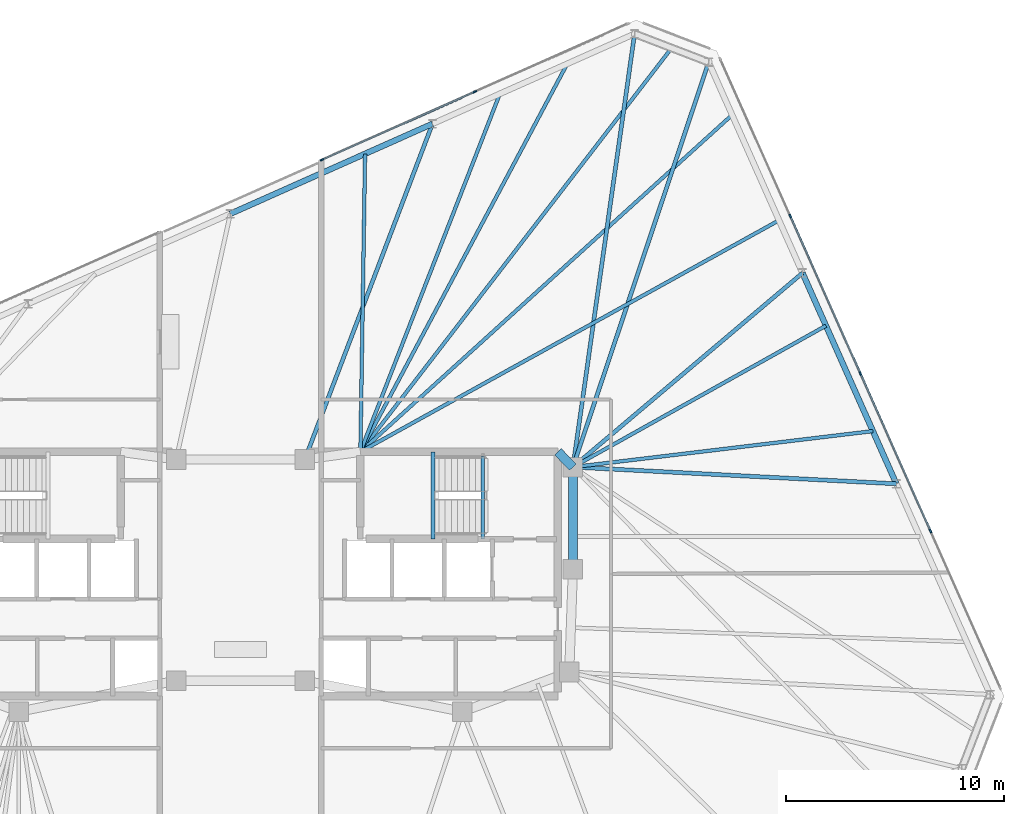
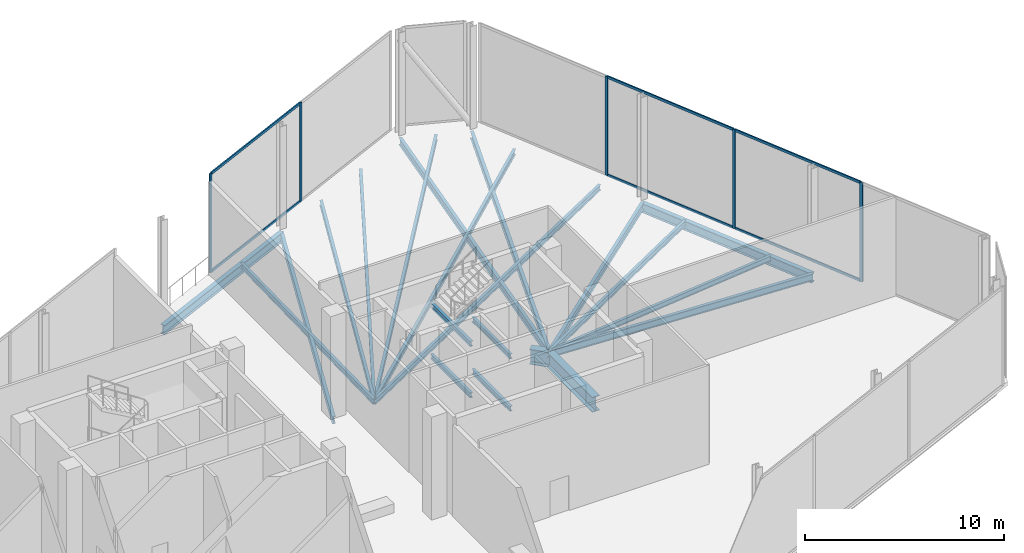
# One storey, part 11 of 16: 21 beams, 11 members, 2 elements without a shape of their own.
"""IFC4 building model written with IfcOpenShell, lengths in metres."""

from ifc_helpers import new_model, si_unit, direction, frame, origin, origin_2d, place, context, subcontext, project, spatial, rectangle, i_section, extrude, material, material_profile, profile_set, type_object, element, aggregate, save


model = new_model("IFC4")

# Units and contexts
model_context = context("Model", 3, precision=1e-05, world=origin(), true_north=direction((0.0, 1.0)))
body_context = subcontext(model_context, "Body", "Model", "MODEL_VIEW")
ifc_project = project(units=[si_unit("LENGTHUNIT", "METRE"), si_unit("AREAUNIT", "SQUARE_METRE"), si_unit("VOLUMEUNIT", "CUBIC_METRE"), si_unit("PLANEANGLEUNIT", "RADIAN"), si_unit("MASSUNIT", "GRAM", prefix="KILO")], contexts=[model_context])

# Site, building, storey
site_placement = place(None, origin())
site = spatial("IfcSite", under=ifc_project, at=site_placement, CompositionType="ELEMENT")
building_placement = place(site_placement, origin())
building = spatial("IfcBuilding", under=site, at=building_placement, Name="Menara Jurai Vektor", CompositionType="ELEMENT")
storey_placement = place(building_placement, frame((0.0, 0.0, 275.60009765625)))
storey = spatial("IfcBuildingStorey", under=building, at=storey_placement, Name="L74", CompositionType="ELEMENT", Elevation=275.60009765625)

# Curtain wall, members
ifc_material_1 = material(Name="Anodised Pale Aluminium & Low-E Double Glazing", Category="aluminium")
curtain_wall_type = type_object("IfcCurtainWallType", Name="CW-BLK5", PredefinedType="NOTDEFINED", material=ifc_material_1)
curtain_wall_1_placement = place(storey_placement, origin())
curtain_wall_1 = element("IfcCurtainWall", 1, at=curtain_wall_1_placement, inside=storey, type_object=curtain_wall_type, Name="Unitised Curtain Wall L74 W2-04", PredefinedType="NOTDEFINED")
ifc_material_2 = material(Name="Anodised Pale Aluminium Mullion", Category="aluminium")
ifc_material_profile_1 = material_profile(ifc_material_2, rectangle(XDim=0.074951171875, YDim=0.175048828125, at=origin_2d()), Name="ALU MUL 75x175")
ifc_profile_set_1 = profile_set([ifc_material_profile_1], Name="Anodised Pale Aluminium Mullion")
member_type_1 = type_object("IfcMemberType", Name="CW-BLK5-MUL", PredefinedType="MULLION", material=ifc_profile_set_1)
member_1_placement = place(storey_placement, frame((31.6533203125, 1.9658203125, 0.0), z_axis=(0.0, 0.0, 1.0), x_axis=(-0.913546127706, -0.406735138086, 0.0)))
member_1 = element("IfcMember", 2, at=member_1_placement, type_object=member_type_1, Name="CW-05 mullion 2", PredefinedType="MULLION", context=body_context, shape_type="SweptSolid", body=[
    extrude(rectangle(XDim=0.074951171875, YDim=0.175048828125, at=origin_2d()), origin(), (0.0, 0.0, 1.0), 6.074951171875),
])
member_2_placement = place(storey_placement, frame((28.43603515625, 9.19189453125, 0.0), z_axis=(0.0, 0.0, 1.0), x_axis=(-0.913546127706, -0.406735138086, 0.0)))
member_2 = element("IfcMember", 3, at=member_2_placement, type_object=member_type_1, Name="CW-05 mullion 3", PredefinedType="MULLION", context=body_context, shape_type="SweptSolid", body=[
    extrude(rectangle(XDim=0.074951171875, YDim=0.175048828125, at=origin_2d()), origin(), (0.0, 0.0, 1.0), 6.074951171875),
])
member_3_placement = place(storey_placement, frame((25.21875, 16.418212890625, 0.0), z_axis=(0.0, 0.0, 1.0), x_axis=(-0.913546127706, -0.406735138086, 0.0)))
member_3 = element("IfcMember", 4, at=member_3_placement, type_object=member_type_1, Name="CW-05 mullion 4", PredefinedType="MULLION", context=body_context, shape_type="SweptSolid", body=[
    extrude(rectangle(XDim=0.074951171875, YDim=0.175048828125, at=origin_2d()), origin(), (0.0, 0.0, 1.0), 6.074951171875),
])

curtain_wall_2_placement = place(storey_placement, origin())
curtain_wall_2 = element("IfcCurtainWall", 5, at=curtain_wall_2_placement, inside=storey, type_object=curtain_wall_type, Name="Unitised Curtain Wall L74 W2-06", PredefinedType="NOTDEFINED")
member_4_placement = place(storey_placement, frame((10.75146484375, 22.116455078125, 0.0), z_axis=(0.0, 0.0, 1.0), x_axis=(0.406733391393, -0.913546905378, 0.0)))
member_4 = element("IfcMember", 6, at=member_4_placement, type_object=member_type_1, Name="CW-05 mullion 2", PredefinedType="MULLION", context=body_context, shape_type="SweptSolid", body=[
    extrude(rectangle(XDim=0.074951171875, YDim=0.175048828125, at=origin_2d()), origin(), (0.0, 0.0, 1.0), 6.074951171875),
])
member_5_placement = place(storey_placement, frame((3.734375, 18.9921875, 0.0), z_axis=(0.0, 0.0, 1.0), x_axis=(0.406733391393, -0.913546905378, 0.0)))
member_5 = element("IfcMember", 7, at=member_5_placement, type_object=member_type_1, Name="CW-05 mullion 3", PredefinedType="MULLION", context=body_context, shape_type="SweptSolid", body=[
    extrude(rectangle(XDim=0.074951171875, YDim=0.175048828125, at=origin_2d()), origin(), (0.0, 0.0, 1.0), 6.074951171875),
])

# Member
ifc_material_3 = material(Name="Anodised Pale Aluminium Transom", Category="aluminium")
ifc_material_profile_2 = material_profile(ifc_material_3, rectangle(XDim=0.074951171875, YDim=0.155029296875, at=origin_2d()), Name="ALU TRN 75x155")
ifc_profile_set_2 = profile_set([ifc_material_profile_2], Name="Anodised Pale Aluminium Transom")
member_type_2 = type_object("IfcMemberType", Name="CW-BLK5-TRN", PredefinedType="USERDEFINED", material=ifc_profile_set_2)
member_6_placement = place(storey_placement, frame((31.63818359375, 2.0, 0.037353515625), z_axis=(-0.406731062496, 0.913547942256, 0.0), x_axis=(-0.913547942256, -0.406731062496, 0.0)))
member_6 = element("IfcMember", 8, at=member_6_placement, type_object=member_type_2, Name="CW-05 transom 2.1", ObjectType="TRANSOM", PredefinedType="USERDEFINED", context=body_context, shape_type="SweptSolid", body=[
    extrude(rectangle(XDim=0.074951171875, YDim=0.155029296875, at=origin_2d()), origin(), (0.0, 0.0, 1.0), 7.8349609375),
])

member_7_placement = place(storey_placement, frame((31.63818359375, 2.0, 6.037353515625), z_axis=(-0.406731062496, 0.913547942256, 0.0), x_axis=(-0.913547942256, -0.406731062496, 0.0)))
member_7 = element("IfcMember", 9, at=member_7_placement, type_object=member_type_2, Name="CW-05 transom 2.2", ObjectType="TRANSOM", PredefinedType="USERDEFINED", context=body_context, shape_type="SweptSolid", body=[
    extrude(rectangle(XDim=0.074951171875, YDim=0.155029296875, at=origin_2d()), origin(), (0.0, 0.0, 1.0), 7.8349609375),
])

member_8_placement = place(storey_placement, frame((28.4208984375, 9.226318359375, 0.037353515625), z_axis=(-0.40674264085, 0.913542787238, 0.0), x_axis=(-0.913542787238, -0.40674264085, 0.0)))
member_8 = element("IfcMember", 10, at=member_8_placement, type_object=member_type_2, Name="CW-05 transom 3.1", ObjectType="TRANSOM", PredefinedType="USERDEFINED", context=body_context, shape_type="SweptSolid", body=[
    extrude(rectangle(XDim=0.074951171875, YDim=0.155029296875, at=origin_2d()), origin(), (0.0, 0.0, 1.0), 7.8349609375),
])

member_9_placement = place(storey_placement, frame((28.4208984375, 9.226318359375, 6.037353515625), z_axis=(-0.40674264085, 0.913542787238, 0.0), x_axis=(-0.913542787238, -0.40674264085, 0.0)))
member_9 = element("IfcMember", 11, at=member_9_placement, type_object=member_type_2, Name="CW-05 transom 3.2", ObjectType="TRANSOM", PredefinedType="USERDEFINED", context=body_context, shape_type="SweptSolid", body=[
    extrude(rectangle(XDim=0.074951171875, YDim=0.155029296875, at=origin_2d()), origin(), (0.0, 0.0, 1.0), 7.8349609375),
])

aggregate(curtain_wall_1, [member_1, member_2, member_3, member_6, member_7, member_8, member_9])

member_10_placement = place(storey_placement, frame((10.71728515625, 22.10107421875, 0.037353515625), z_axis=(-0.913546636457, -0.406733995404, 0.0), x_axis=(0.406733995404, -0.913546636457, 0.0)))
member_10 = element("IfcMember", 12, at=member_10_placement, type_object=member_type_2, Name="CW-05 transom 2.1", ObjectType="TRANSOM", PredefinedType="USERDEFINED", context=body_context, shape_type="SweptSolid", body=[
    extrude(rectangle(XDim=0.074951171875, YDim=0.155029296875, at=origin_2d()), origin(), (0.0, 0.0, 1.0), 7.606201171875),
])

member_11_placement = place(storey_placement, frame((10.71728515625, 22.10107421875, 6.037353515625), z_axis=(-0.913546636457, -0.406733995404, 0.0), x_axis=(0.406733995404, -0.913546636457, 0.0)))
member_11 = element("IfcMember", 13, at=member_11_placement, type_object=member_type_2, Name="CW-05 transom 2.2", ObjectType="TRANSOM", PredefinedType="USERDEFINED", context=body_context, shape_type="SweptSolid", body=[
    extrude(rectangle(XDim=0.074951171875, YDim=0.155029296875, at=origin_2d()), origin(), (0.0, 0.0, 1.0), 7.606201171875),
])

aggregate(curtain_wall_2, [member_4, member_5, member_10, member_11])

# Beams
ifc_material_4 = material(Name="Steel S355", Category="steel")
ifc_material_profile_3 = material_profile(ifc_material_4, i_section(OverallWidth=0.18505859375, OverallDepth=0.429931640625, WebThickness=0.010986328125, FlangeThickness=0.01806640625, at=origin_2d()), Name="PG 430x185x76")
ifc_profile_set_3 = profile_set([ifc_material_profile_3], Name="Steel S355")
beam_type_1 = type_object("IfcBeamType", Name="STR-BM-430", PredefinedType="BEAM", material=ifc_profile_set_3)
beam_1_placement = place(storey_placement, frame((30.086181640625, 4.13330078125, -0.465087890625), z_axis=(-0.998667716832, 0.051602241782, 0.0), x_axis=(-0.051602241782, -0.998667716832, 0.0)))
element("IfcBeam", 14, at=beam_1_placement, inside=storey, type_object=beam_type_1, Name="Radial Floor Girder L74-E2", PredefinedType="BEAM", context=body_context, shape_type="SweptSolid", body=[
    extrude(i_section(OverallWidth=0.18505859375, OverallDepth=0.429931640625, WebThickness=0.010986328125, FlangeThickness=0.01806640625, at=origin_2d()), origin(), (0.0, 0.0, 1.0), 14.85595703125),
])
beam_2_placement = place(storey_placement, frame((25.781005859375, 13.80322265625, -0.465087890625), z_axis=(-0.763655500673, -0.6456239434, 0.0), x_axis=(0.6456239434, -0.763655500673, 0.0)))
element("IfcBeam", 15, at=beam_2_placement, inside=storey, type_object=beam_type_1, Name="Radial Floor Girder L74-E3", PredefinedType="BEAM", context=body_context, shape_type="SweptSolid", body=[
    extrude(i_section(OverallWidth=0.18505859375, OverallDepth=0.429931640625, WebThickness=0.010986328125, FlangeThickness=0.01806640625, at=origin_2d()), origin(), (0.0, 0.0, 1.0), 13.790283203125),
])
beam_3_placement = place(storey_placement, frame((21.4755859375, 23.473388671875, -0.465087890625), z_axis=(-0.317808893183, -0.948154790851, 0.0), x_axis=(0.948154790851, -0.317808893183, 0.0)))
element("IfcBeam", 16, at=beam_3_placement, inside=storey, type_object=beam_type_1, Name="Radial Floor Girder L74-E4", PredefinedType="BEAM", context=body_context, shape_type="SweptSolid", body=[
    extrude(i_section(OverallWidth=0.18505859375, OverallDepth=0.429931640625, WebThickness=0.010986328125, FlangeThickness=0.01806640625, at=origin_2d()), origin(), (0.0, 0.0, 1.0), 19.589111328125),
])
beam_4_placement = place(storey_placement, frame((18.07958984375, 24.777099609375, -0.465087890625), z_axis=(-0.140932755913, -0.990019170678, 0.0), x_axis=(0.990019170678, -0.140932755913, 0.0)))
element("IfcBeam", 17, at=beam_4_placement, inside=storey, type_object=beam_type_1, Name="Radial Floor Girder L74-N1", PredefinedType="BEAM", context=body_context, shape_type="SweptSolid", body=[
    extrude(i_section(OverallWidth=0.18505859375, OverallDepth=0.429931640625, WebThickness=0.010986328125, FlangeThickness=0.01806640625, at=origin_2d()), origin(), (0.0, 0.0, 1.0), 20.07763671875),
])
beam_5_placement = place(storey_placement, frame((8.805908203125, 20.648193359375, -0.465087890625), z_axis=(-0.355464051758, -0.934689952823, 0.0), x_axis=(0.934689952823, -0.355464051758, 0.0)))
element("IfcBeam", 18, at=beam_5_placement, inside=storey, type_object=beam_type_1, Name="Radial Floor Girder L74-N2", PredefinedType="BEAM", context=body_context, shape_type="SweptSolid", body=[
    extrude(i_section(OverallWidth=0.18505859375, OverallDepth=0.429931640625, WebThickness=0.010986328125, FlangeThickness=0.01806640625, at=origin_2d()), origin(), (0.0, 0.0, 1.0), 16.47412109375),
])
ifc_material_5 = material(Name="Steel S460", Category="steel")
ifc_material_profile_4 = material_profile(ifc_material_5, i_section(OverallWidth=0.4208984375, OverallDepth=0.9208984375, WebThickness=0.02099609375, FlangeThickness=0.037109375, FilletRadius=0.02392578125, at=origin_2d()), Name="UKB 914x419x388")
ifc_profile_set_4 = profile_set([ifc_material_profile_4], Name="Steel S460")
beam_type_2 = type_object("IfcBeamType", Name="STR-BM-TR914", PredefinedType="BEAM", material=ifc_profile_set_4)
beam_6_placement = place(storey_placement, frame((14.56005859375, 5.60009765625, -0.710693359375), z_axis=(0.701871936926, -0.712303154672, 0.0), x_axis=(0.712303154672, 0.701871936926, 0.0)))
element("IfcBeam", 19, at=beam_6_placement, inside=storey, type_object=beam_type_2, Name="Core Ring Header Girder L74-CHE-N2", PredefinedType="BEAM", context=body_context, shape_type="SweptSolid", body=[
    extrude(i_section(OverallWidth=0.4208984375, OverallDepth=0.9208984375, WebThickness=0.02099609375, FlangeThickness=0.037109375, FilletRadius=0.02392578125, at=origin_2d()), origin(), (0.0, 0.0, 1.0), 0.98291015625),
])
beam_7_placement = place(storey_placement, frame((15.25, 0.219970703125, -0.710693359375), z_axis=(0.0, 1.0, 0.0), x_axis=(-1.0, 0.0, 0.0)))
element("IfcBeam", 20, at=beam_7_placement, inside=storey, type_object=beam_type_2, Name="Core Ring Header Girder L74-CHE-E1", PredefinedType="BEAM", context=body_context, shape_type="SweptSolid", body=[
    extrude(i_section(OverallWidth=0.4208984375, OverallDepth=0.9208984375, WebThickness=0.02099609375, FlangeThickness=0.037109375, FilletRadius=0.02392578125, at=origin_2d()), origin(), (0.0, 0.0, 1.0), 4.679931640625),
])
ifc_material_profile_5 = material_profile(ifc_material_4, i_section(OverallWidth=0.1650390625, OverallDepth=0.330078125, WebThickness=0.009033203125, FlangeThickness=0.013916015625, at=origin_2d()), Name="PG 330x165x46")
ifc_profile_set_5 = profile_set([ifc_material_profile_5], Name="Steel S355")
beam_type_3 = type_object("IfcBeamType", Name="STR-JS-330", PredefinedType="JOIST", material=ifc_profile_set_5)
beam_8_placement = place(storey_placement, frame((29.010009765625, 6.55078125, -0.4150390625), z_axis=(-0.992879589053, -0.119122296999, 0.0), x_axis=(0.119122296999, -0.992879589053, 0.0)))
element("IfcBeam", 21, at=beam_8_placement, inside=storey, type_object=beam_type_3, Name="Radial Secondary Floor Joist L74-JS08", PredefinedType="JOIST", context=body_context, shape_type="SweptSolid", body=[
    extrude(i_section(OverallWidth=0.1650390625, OverallDepth=0.330078125, WebThickness=0.009033203125, FlangeThickness=0.013916015625, at=origin_2d()), origin(), (0.0, 0.0, 1.0), 13.858642578125),
])
beam_9_placement = place(storey_placement, frame((26.857177734375, 11.3857421875, -0.4150390625), z_axis=(-0.872960269613, -0.487791315705, 0.0), x_axis=(0.487791315705, -0.872960269613, 0.0)))
element("IfcBeam", 22, at=beam_9_placement, inside=storey, type_object=beam_type_3, Name="Radial Secondary Floor Joist L74-JS09", PredefinedType="JOIST", context=body_context, shape_type="SweptSolid", body=[
    extrude(i_section(OverallWidth=0.1650390625, OverallDepth=0.330078125, WebThickness=0.009033203125, FlangeThickness=0.013916015625, at=origin_2d()), origin(), (0.0, 0.0, 1.0), 13.29638671875),
])
beam_10_placement = place(storey_placement, frame((24.70458984375, 16.220703125, -0.4150390625), z_axis=(-0.87509599458, -0.483949377797, 0.0), x_axis=(0.483949377797, -0.87509599458, 0.0)))
element("IfcBeam", 23, at=beam_10_placement, inside=storey, type_object=beam_type_3, Name="Radial Secondary Floor Joist L74-JS10", PredefinedType="JOIST", context=body_context, shape_type="SweptSolid", body=[
    extrude(i_section(OverallWidth=0.1650390625, OverallDepth=0.330078125, WebThickness=0.009033203125, FlangeThickness=0.013916015625, at=origin_2d()), origin(), (0.0, 0.0, 1.0), 21.94580078125),
])
beam_11_placement = place(storey_placement, frame((22.552001953125, 21.055908203125, -0.4150390625), z_axis=(-0.74093432875, -0.67157748658, 0.0), x_axis=(0.67157748658, -0.74093432875, 0.0)))
element("IfcBeam", 24, at=beam_11_placement, inside=storey, type_object=beam_type_3, Name="Radial Secondary Floor Joist L74-JS11", PredefinedType="JOIST", context=body_context, shape_type="SweptSolid", body=[
    extrude(i_section(OverallWidth=0.1650390625, OverallDepth=0.330078125, WebThickness=0.009033203125, FlangeThickness=0.013916015625, at=origin_2d()), origin(), (0.0, 0.0, 1.0), 23.01416015625),
])
beam_12_placement = place(storey_placement, frame((19.777587890625, 24.125244140625, -0.4150390625), z_axis=(-0.610448519134, -0.792055935832, 0.0), x_axis=(0.792055935832, -0.610448519134, 0.0)))
element("IfcBeam", 25, at=beam_12_placement, inside=storey, type_object=beam_type_3, Name="Radial Secondary Floor Joist L74-JS12", PredefinedType="JOIST", context=body_context, shape_type="SweptSolid", body=[
    extrude(i_section(OverallWidth=0.1650390625, OverallDepth=0.330078125, WebThickness=0.009033203125, FlangeThickness=0.013916015625, at=origin_2d()), origin(), (0.0, 0.0, 1.0), 23.388671875),
])
beam_13_placement = place(storey_placement, frame((14.98828125, 23.400634765625, -0.4150390625), z_axis=(-0.470382173413, -0.882462809945, 0.0), x_axis=(0.882462809945, -0.470382173413, 0.0)))
element("IfcBeam", 26, at=beam_13_placement, inside=storey, type_object=beam_type_3, Name="Radial Secondary Floor Joist L74-JS13", PredefinedType="JOIST", context=body_context, shape_type="SweptSolid", body=[
    extrude(i_section(OverallWidth=0.1650390625, OverallDepth=0.330078125, WebThickness=0.009033203125, FlangeThickness=0.013916015625, at=origin_2d()), origin(), (0.0, 0.0, 1.0), 20.17138671875),
])
beam_14_placement = place(storey_placement, frame((11.897216796875, 22.0244140625, -0.4150390625), z_axis=(-0.36293816309, -0.931813226872, 0.0), x_axis=(0.931813226872, -0.36293816309, 0.0)))
element("IfcBeam", 27, at=beam_14_placement, inside=storey, type_object=beam_type_3, Name="Radial Secondary Floor Joist L74-JS14", PredefinedType="JOIST", context=body_context, shape_type="SweptSolid", body=[
    extrude(i_section(OverallWidth=0.1650390625, OverallDepth=0.330078125, WebThickness=0.009033203125, FlangeThickness=0.013916015625, at=origin_2d()), origin(), (0.0, 0.0, 1.0), 17.626220703125),
])
beam_15_placement = place(storey_placement, frame((5.71484375, 19.27197265625, -0.4150390625), z_axis=(-0.01571234584, -0.999876553475, 0.0), x_axis=(0.999876553475, -0.01571234584, 0.0)))
element("IfcBeam", 28, at=beam_15_placement, inside=storey, type_object=beam_type_3, Name="Radial Secondary Floor Joist L74-JS15", PredefinedType="JOIST", context=body_context, shape_type="SweptSolid", body=[
    extrude(i_section(OverallWidth=0.1650390625, OverallDepth=0.330078125, WebThickness=0.009033203125, FlangeThickness=0.013916015625, at=origin_2d()), origin(), (0.0, 0.0, 1.0), 13.673583984375),
])
ifc_material_profile_6 = material_profile(ifc_material_4, i_section(OverallWidth=0.1650390625, OverallDepth=0.302978515625, WebThickness=0.006103515625, FlangeThickness=0.010009765625, FilletRadius=0.009033203125, at=origin_2d()), Name="UKB 305x165x40")
ifc_profile_set_6 = profile_set([ifc_material_profile_6], Name="Steel S355")
beam_type_4 = type_object("IfcBeamType", Name="STR-LN-305", PredefinedType="LINTEL", material=ifc_profile_set_6)
beam_16_placement = place(storey_placement, frame((11.1201171875, 1.60009765625, -0.401611328125), z_axis=(0.0, 1.0, 0.0), x_axis=(-1.0, 0.0, 0.0)))
element("IfcBeam", 29, at=beam_16_placement, inside=storey, type_object=beam_type_4, Name="Stair Well Floor Trimmer ST2 L74", PredefinedType="LINTEL", context=body_context, shape_type="SweptSolid", body=[
    extrude(i_section(OverallWidth=0.1650390625, OverallDepth=0.302978515625, WebThickness=0.006103515625, FlangeThickness=0.010009765625, FilletRadius=0.009033203125, at=origin_2d()), origin(), (0.0, 0.0, 1.0), 3.81982421875),
])
beam_17_placement = place(storey_placement, frame((8.830078125, 1.60009765625, 1.223388671875), z_axis=(0.0, 1.0, 0.0), x_axis=(-1.0, 0.0, 0.0)))
element("IfcBeam", 30, at=beam_17_placement, inside=storey, type_object=beam_type_4, Name="Stair Half-Landing Nosing Trimmer ST2-1 L74", PredefinedType="LINTEL", context=body_context, shape_type="SweptSolid", body=[
    extrude(i_section(OverallWidth=0.1650390625, OverallDepth=0.302978515625, WebThickness=0.006103515625, FlangeThickness=0.010009765625, FilletRadius=0.009033203125, at=origin_2d()), origin(), (0.0, 0.0, 1.0), 4.0),
])
beam_18_placement = place(storey_placement, frame((11.1201171875, 1.60009765625, 2.79833984375), z_axis=(0.0, 1.0, 0.0), x_axis=(-1.0, 0.0, 0.0)))
element("IfcBeam", 31, at=beam_18_placement, inside=storey, type_object=beam_type_4, Name="Stair Mid-Landing Trimmer ST2-MA L74", PredefinedType="LINTEL", context=body_context, shape_type="SweptSolid", body=[
    extrude(i_section(OverallWidth=0.1650390625, OverallDepth=0.302978515625, WebThickness=0.006103515625, FlangeThickness=0.010009765625, FilletRadius=0.009033203125, at=origin_2d()), origin(), (0.0, 0.0, 1.0), 3.81982421875),
])
beam_19_placement = place(storey_placement, frame((8.830078125, 1.60009765625, 4.373291015625), z_axis=(0.0, 1.0, 0.0), x_axis=(-1.0, 0.0, 0.0)))
element("IfcBeam", 32, at=beam_19_placement, inside=storey, type_object=beam_type_4, Name="Stair Half-Landing Nosing Trimmer ST2-2 L74", PredefinedType="LINTEL", context=body_context, shape_type="SweptSolid", body=[
    extrude(i_section(OverallWidth=0.1650390625, OverallDepth=0.302978515625, WebThickness=0.006103515625, FlangeThickness=0.010009765625, FilletRadius=0.009033203125, at=origin_2d()), origin(), (0.0, 0.0, 1.0), 4.0),
])
ifc_material_profile_7 = material_profile(ifc_material_4, i_section(OverallWidth=0.260009765625, OverallDepth=0.570068359375, WebThickness=0.013916015625, FlangeThickness=0.02392578125, at=origin_2d()), Name="PG 570x260x145")
ifc_profile_set_7 = profile_set([ifc_material_profile_7], Name="Steel S355")
beam_type_5 = type_object("IfcBeamType", Name="STR-SP-570", PredefinedType="SPANDREL", material=ifc_profile_set_7)
beam_20_placement = place(storey_placement, frame((30.086181640625, 4.13330078125, -0.53515625), z_axis=(-0.406724751578, 0.913550751986, 0.0), x_axis=(-0.913550751986, -0.406724751578, 0.0)))
element("IfcBeam", 33, at=beam_20_placement, inside=storey, type_object=beam_type_5, Name="Exoskeleton Spandrel Beam L74-08", PredefinedType="SPANDREL", context=body_context, shape_type="SweptSolid", body=[
    extrude(i_section(OverallWidth=0.260009765625, OverallDepth=0.570068359375, WebThickness=0.013916015625, FlangeThickness=0.02392578125, at=origin_2d()), origin(), (0.0, 0.0, 1.0), 10.5849609375),
])
beam_21_placement = place(storey_placement, frame((8.805908203125, 20.648193359375, -0.53515625), z_axis=(-0.913541582548, -0.406745346568, 0.0), x_axis=(0.406745346568, -0.913541582548, 0.0)))
element("IfcBeam", 34, at=beam_21_placement, inside=storey, type_object=beam_type_5, Name="Exoskeleton Spandrel Beam L74-12", PredefinedType="SPANDREL", context=body_context, shape_type="SweptSolid", body=[
    extrude(i_section(OverallWidth=0.260009765625, OverallDepth=0.570068359375, WebThickness=0.013916015625, FlangeThickness=0.02392578125, at=origin_2d()), origin(), (0.0, 0.0, 1.0), 10.151123046875),
])

save(model, "model.ifc")
